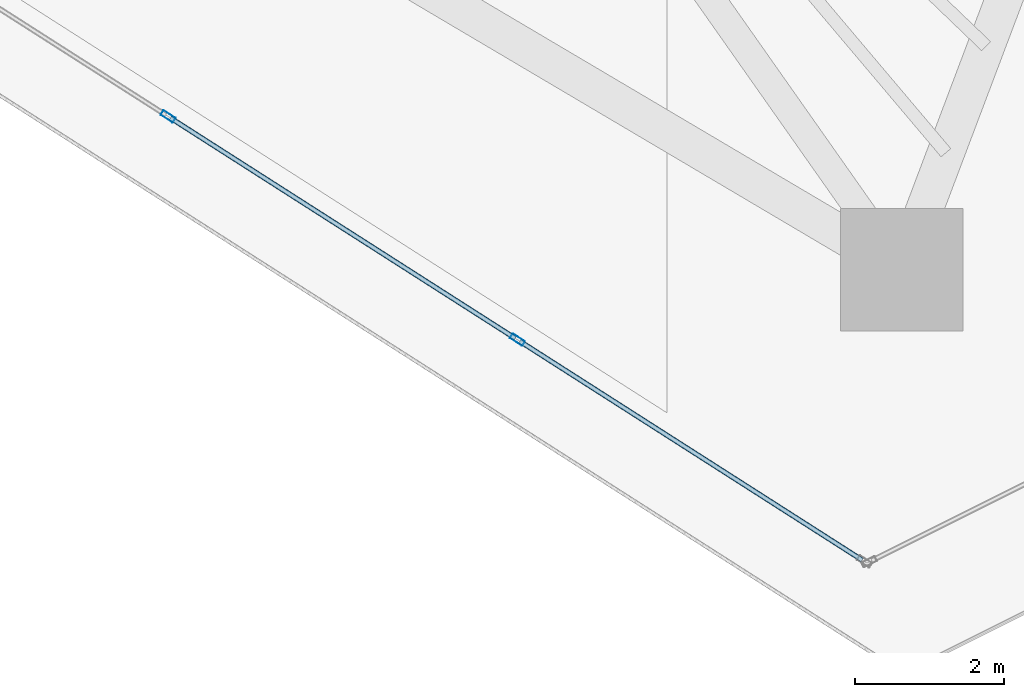
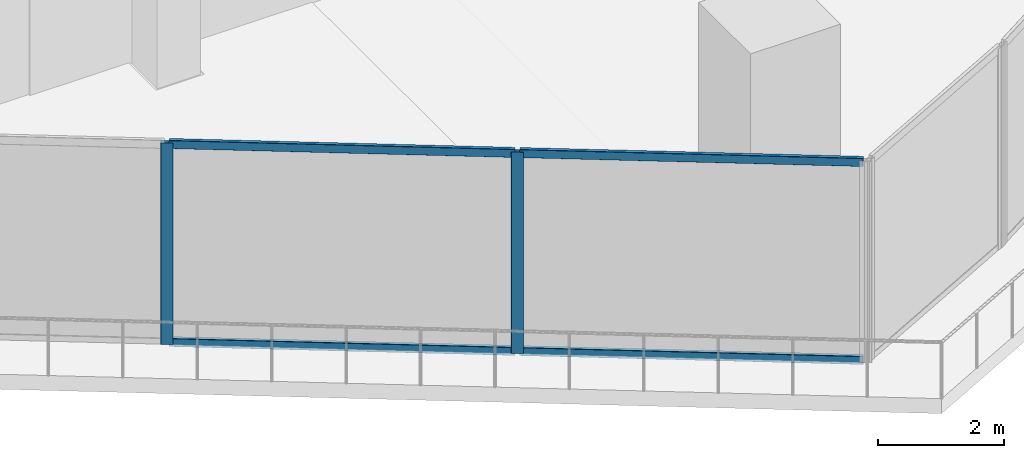
# One storey, part 3 of 34: 6 members, 1 element without a shape of its own.
"""IFC4 building model written with IfcOpenShell, lengths in metres."""

from ifc_helpers import new_model, si_unit, direction, frame, origin, origin_2d, place, context, subcontext, project, spatial, hollow_rectangle, extrude, material, layer, layer_set, material_profile, profile_set, type_object, element, aggregate, save


model = new_model("IFC4")

# Units and contexts
model_context = context("Model", 3, precision=1e-05, world=origin(), true_north=direction((0.0, 1.0)))
body_context = subcontext(model_context, "Body", "Model", "MODEL_VIEW")
ifc_project = project(units=[si_unit("LENGTHUNIT", "METRE"), si_unit("AREAUNIT", "SQUARE_METRE"), si_unit("VOLUMEUNIT", "CUBIC_METRE"), si_unit("PLANEANGLEUNIT", "RADIAN"), si_unit("MASSUNIT", "GRAM", prefix="KILO")], contexts=[model_context])

# Site, building, storey
site_placement = place(None, origin())
site = spatial("IfcSite", under=ifc_project, at=site_placement, CompositionType="ELEMENT")
building_placement = place(site_placement, origin())
building = spatial("IfcBuilding", under=site, at=building_placement, Name="Qorvath Tower", CompositionType="ELEMENT")
storey_placement = place(building_placement, frame((0.0, 0.0, 268.199951171875)))
storey = spatial("IfcBuildingStorey", under=building, at=storey_placement, Name="L62", CompositionType="ELEMENT", Elevation=268.199951171875)

# Curtain wall, members
ifc_material_1 = material(Name="Anodised aluminium and triple low-E glass", Category="aluminium")
ifc_layer = layer(ifc_material_1, 0.179931640625)
ifc_layer_set = layer_set([ifc_layer], Name="CW-SYS-4")
curtain_wall_type = type_object("IfcCurtainWallType", Name="CW-SYS-4", PredefinedType="NOTDEFINED", material=ifc_layer_set)
curtain_wall_placement = place(storey_placement, origin())
curtain_wall = element("IfcCurtainWall", 1, at=curtain_wall_placement, inside=storey, type_object=curtain_wall_type, Name="Curtain Wall CW-4 CW-T-L62-2.1", PredefinedType="NOTDEFINED")
ifc_material_2 = material(Name="Anodised aluminium 6063-T6", Category="aluminium")
ifc_material_profile_1 = material_profile(ifc_material_2, hollow_rectangle(XDim=0.074951171875, YDim=0.199951171875, WallThickness=0.00390625, InnerFilletRadius=0.00390625, OuterFilletRadius=0.008056640625, at=origin_2d()), Name="CWM 200x75")
ifc_profile_set_1 = profile_set([ifc_material_profile_1], Name="Anodised aluminium 6063-T6")
member_type_1 = type_object("IfcMemberType", Name="CWM-200", PredefinedType="MULLION", material=ifc_profile_set_1)
member_1_placement = place(storey_placement, frame((-27.390380859375, -18.03564453125, 0.0), z_axis=(0.0, 0.0, 1.0), x_axis=(0.538533509281, 0.842604094093, 0.0)))
member_1 = element("IfcMember", 2, at=member_1_placement, type_object=member_type_1, Name="CW-4 mullion 6", PredefinedType="MULLION", context=body_context, shape_type="SweptSolid", body=[
    extrude(hollow_rectangle(XDim=0.074951171875, YDim=0.199951171875, WallThickness=0.00390625, InnerFilletRadius=0.00390625, OuterFilletRadius=0.008056640625, at=origin_2d()), origin(), (0.0, 0.0, 1.0), 3.91015625),
])
member_2_placement = place(storey_placement, frame((-22.687255859375, -21.04150390625, 0.0), z_axis=(0.0, 0.0, 1.0), x_axis=(0.538533509281, 0.842604094093, 0.0)))
member_2 = element("IfcMember", 3, at=member_2_placement, type_object=member_type_1, Name="CW-4 mullion 7", PredefinedType="MULLION", context=body_context, shape_type="SweptSolid", body=[
    extrude(hollow_rectangle(XDim=0.074951171875, YDim=0.199951171875, WallThickness=0.00390625, InnerFilletRadius=0.00390625, OuterFilletRadius=0.008056640625, at=origin_2d()), origin(), (0.0, 0.0, 1.0), 3.91015625),
])
ifc_material_3 = material(Name="Anodised aluminium 6063-T6", Category="aluminium")
ifc_material_profile_2 = material_profile(ifc_material_3, hollow_rectangle(XDim=0.06494140625, YDim=0.159912109375, WallThickness=0.00341796875, InnerFilletRadius=0.00341796875, OuterFilletRadius=0.007080078125, at=origin_2d()), Name="CWT 160x65")
ifc_profile_set_2 = profile_set([ifc_material_profile_2], Name="Anodised aluminium 6063-T6")
member_type_2 = type_object("IfcMemberType", Name="CWT-160", PredefinedType="USERDEFINED", material=ifc_profile_set_2)
member_3_placement = place(storey_placement, frame((-27.35888671875, -18.0556640625, 0.032470703125), z_axis=(0.842610204835, -0.538523948129, 0.0), x_axis=(0.538523948129, 0.842610204835, 0.0)))
member_3 = element("IfcMember", 4, at=member_3_placement, type_object=member_type_2, Name="CW-4 transom 6.1", ObjectType="TRANSOM", PredefinedType="USERDEFINED", context=body_context, shape_type="SweptSolid", body=[
    extrude(hollow_rectangle(XDim=0.06494140625, YDim=0.159912109375, WallThickness=0.00341796875, InnerFilletRadius=0.00341796875, OuterFilletRadius=0.007080078125, at=origin_2d()), origin(), (0.0, 0.0, 1.0), 5.5068359375),
])
member_4_placement = place(storey_placement, frame((-27.35888671875, -18.0556640625, 3.877685546875), z_axis=(0.842610204835, -0.538523948129, 0.0), x_axis=(0.538523948129, 0.842610204835, 0.0)))
member_4 = element("IfcMember", 5, at=member_4_placement, type_object=member_type_2, Name="CW-4 transom 6.2", ObjectType="TRANSOM", PredefinedType="USERDEFINED", context=body_context, shape_type="SweptSolid", body=[
    extrude(hollow_rectangle(XDim=0.06494140625, YDim=0.159912109375, WallThickness=0.00341796875, InnerFilletRadius=0.00341796875, OuterFilletRadius=0.007080078125, at=origin_2d()), origin(), (0.0, 0.0, 1.0), 5.5068359375),
])
member_5_placement = place(storey_placement, frame((-22.65576171875, -21.061767578125, 0.032470703125), z_axis=(0.842608486836, -0.538526636215, 0.0), x_axis=(0.538526636215, 0.842608486836, 0.0)))
member_5 = element("IfcMember", 6, at=member_5_placement, type_object=member_type_2, Name="CW-4 transom 7.1", ObjectType="TRANSOM", PredefinedType="USERDEFINED", context=body_context, shape_type="SweptSolid", body=[
    extrude(hollow_rectangle(XDim=0.06494140625, YDim=0.159912109375, WallThickness=0.00341796875, InnerFilletRadius=0.00341796875, OuterFilletRadius=0.007080078125, at=origin_2d()), origin(), (0.0, 0.0, 1.0), 5.46923828125),
])
member_6_placement = place(storey_placement, frame((-22.65576171875, -21.061767578125, 3.877685546875), z_axis=(0.842608486836, -0.538526636215, 0.0), x_axis=(0.538526636215, 0.842608486836, 0.0)))
member_6 = element("IfcMember", 7, at=member_6_placement, type_object=member_type_2, Name="CW-4 transom 7.2", ObjectType="TRANSOM", PredefinedType="USERDEFINED", context=body_context, shape_type="SweptSolid", body=[
    extrude(hollow_rectangle(XDim=0.06494140625, YDim=0.159912109375, WallThickness=0.00341796875, InnerFilletRadius=0.00341796875, OuterFilletRadius=0.007080078125, at=origin_2d()), origin(), (0.0, 0.0, 1.0), 5.46923828125),
])
aggregate(curtain_wall, [member_1, member_2, member_3, member_4, member_5, member_6])

save(model, "model.ifc")
